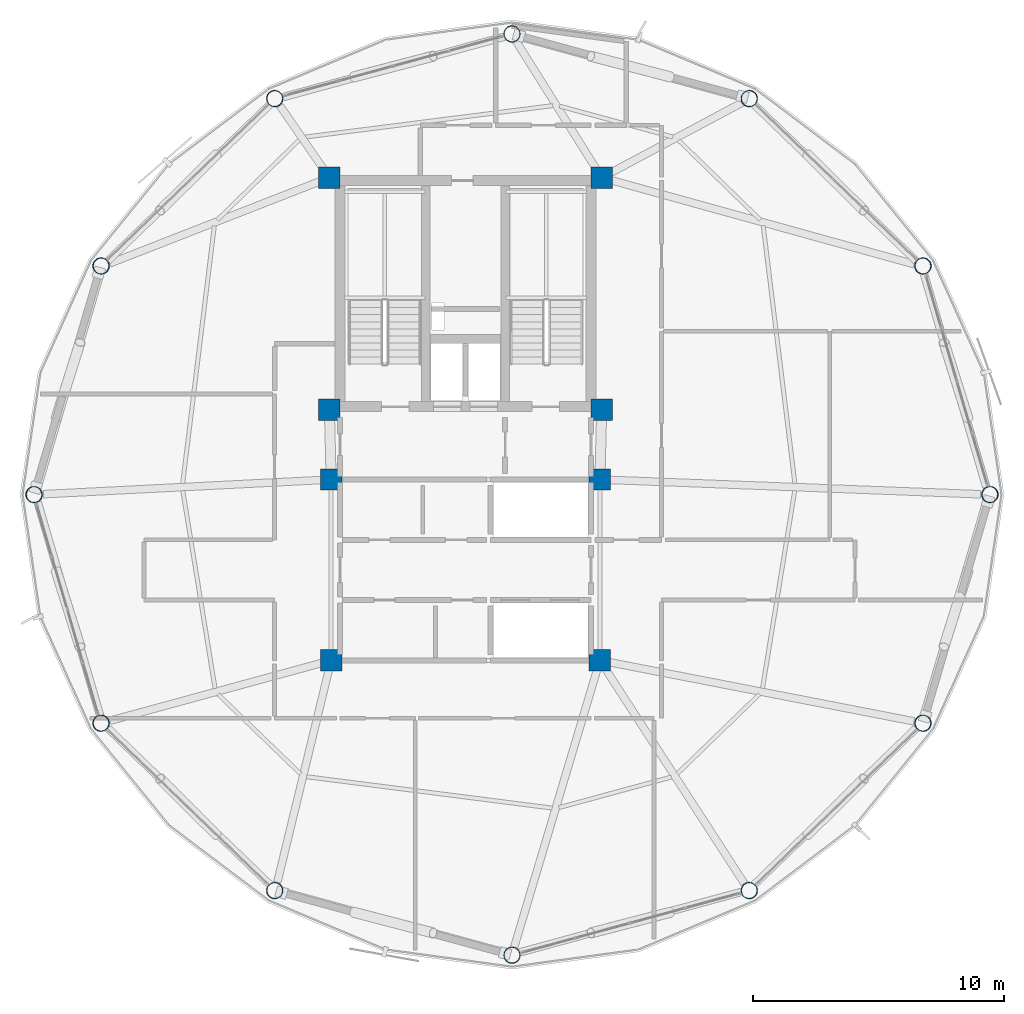
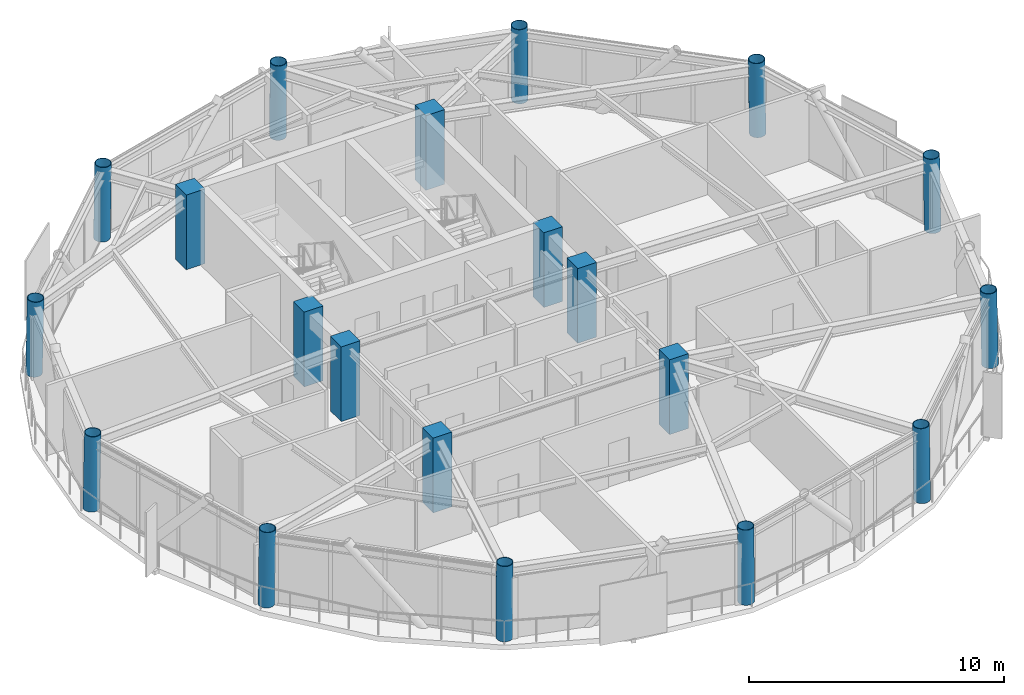
# One storey, part 1 of 26: 20 columns.
"""IFC4 building model written with IfcOpenShell, lengths in metres."""

from ifc_helpers import new_model, si_unit, direction, frame, origin, origin_2d, place, context, subcontext, project, spatial, rectangle, hollow_circle, extrude, material, material_profile, profile_set, type_object, element, save


model = new_model("IFC4")

# Units and contexts
model_context = context("Model", 3, precision=1e-05, world=origin(), true_north=direction((0.0, 1.0)))
body_context = subcontext(model_context, "Body", "Model", "MODEL_VIEW")
ifc_project = project(units=[si_unit("LENGTHUNIT", "METRE"), si_unit("AREAUNIT", "SQUARE_METRE"), si_unit("VOLUMEUNIT", "CUBIC_METRE"), si_unit("PLANEANGLEUNIT", "RADIAN"), si_unit("MASSUNIT", "GRAM", prefix="KILO")], contexts=[model_context])

# Site, building, storey
site_placement = place(None, origin())
site = spatial("IfcSite", under=ifc_project, at=site_placement, CompositionType="ELEMENT")
building_placement = place(site_placement, origin())
building = spatial("IfcBuilding", under=site, at=building_placement, Name="Varnakorn Sky Granary", CompositionType="ELEMENT")
storey_placement = place(building_placement, frame((0.0, 0.0, 218.39990234375)))
storey = spatial("IfcBuildingStorey", under=building, at=storey_placement, Name="L55", CompositionType="ELEMENT", Elevation=218.39990234375)

# Columns
ifc_material_1 = material(Name="Steel S460M", Category="steel")
ifc_material_profile_1 = material_profile(ifc_material_1, hollow_circle(Radius=0.330078125, WallThickness=0.02490234375, at=origin_2d()), Name="CHS 660x25")
ifc_profile_set_1 = profile_set([ifc_material_profile_1], Name="Steel S460M")
column_type_1 = type_object("IfcColumnType", Name="COL-DC-Z4", PredefinedType="COLUMN", material=ifc_profile_set_1)
column_1_placement = place(storey_placement, frame((23.886962890625, 0.0, 0.0), z_axis=(-0.018980464328, 0.0, 0.999819854761), x_axis=(0.0, -1.0, 0.0)))
element("IfcColumn", 1, at=column_1_placement, inside=storey, type_object=column_type_1, Name="Drum Perimeter Column DC01 L55", PredefinedType="COLUMN", context=body_context, shape_type="SweptSolid", body=[
    extrude(hollow_circle(Radius=0.330078125, WallThickness=0.02490234375, at=origin_2d()), origin(), (0.0, 0.0, 1.0), 3.575927734375),
])
column_2_placement = place(storey_placement, frame((21.219482421875, 9.1044921875, 0.0), z_axis=(-0.016454835979, -0.00477941294, 0.999853187015), x_axis=(0.278928739366, -0.960311802674, 0.0)))
element("IfcColumn", 2, at=column_2_placement, inside=storey, type_object=column_type_1, Name="Drum Perimeter Column DC02 L55", PredefinedType="COLUMN", context=body_context, shape_type="SweptSolid", body=[
    extrude(hollow_circle(Radius=0.330078125, WallThickness=0.02490234375, at=origin_2d()), origin(), (0.0, 0.0, 1.0), 3.57568359375),
])
for number, where, z_axis, x_axis, name in (
    (3, (14.301025390625, 15.76953125, 0.0), (-0.009491190561, -0.008262115524, 0.99992082424), (0.656581650754, -0.754254954172, 0.0), "Drum Perimeter Column DC03 L55"),
    (4, (4.85009765625, 18.343994140625, 0.0), (0.0, -0.009491514524, 0.999954954561), (1.0, 0.0, 0.0), "Drum Perimeter Column DC04 L55"),
    (5, (-4.60107421875, 15.76953125, 0.0), (0.00955946629, -0.00826211015, 0.999920173884), (0.653901224294, 0.756579928935, 0.0), "Drum Perimeter Column DC05 L55"),
):
    element("IfcColumn", number, at=place(storey_placement, frame(where, z_axis=z_axis, x_axis=x_axis)), inside=storey, type_object=column_type_1, Name=name, PredefinedType="COLUMN", context=body_context, shape_type="SweptSolid", body=[
        extrude(hollow_circle(Radius=0.330078125, WallThickness=0.02490234375, at=origin_2d()), origin(), (0.0, 0.0, 1.0), 3.575439453125),
    ])
column_3_placement = place(storey_placement, frame((-11.51953125, 9.1044921875, 0.0), z_axis=(0.016454835979, -0.00477941294, 0.999853187015), x_axis=(0.278928739366, 0.960311802674, 0.0)))
element("IfcColumn", 6, at=column_3_placement, inside=storey, type_object=column_type_1, Name="Drum Perimeter Column DC06 L55", PredefinedType="COLUMN", context=body_context, shape_type="SweptSolid", body=[
    extrude(hollow_circle(Radius=0.330078125, WallThickness=0.02490234375, at=origin_2d()), origin(), (0.0, 0.0, 1.0), 3.57568359375),
])
column_4_placement = place(storey_placement, frame((-14.18701171875, 0.0, 0.0), z_axis=(0.01904871465, 0.0, 0.999818556774), x_axis=(0.0, 1.0, 0.0)))
element("IfcColumn", 7, at=column_4_placement, inside=storey, type_object=column_type_1, Name="Drum Perimeter Column DC07 L55", PredefinedType="COLUMN", context=body_context, shape_type="SweptSolid", body=[
    extrude(hollow_circle(Radius=0.330078125, WallThickness=0.02490234375, at=origin_2d()), origin(), (0.0, 0.0, 1.0), 3.575927734375),
])
column_5_placement = place(storey_placement, frame((-11.51953125, -9.1044921875, 0.0), z_axis=(0.016454835979, 0.00477941294, 0.999853187015), x_axis=(-0.278928739366, 0.960311802674, 0.0)))
element("IfcColumn", 8, at=column_5_placement, inside=storey, type_object=column_type_1, Name="Drum Perimeter Column DC08 L55", PredefinedType="COLUMN", context=body_context, shape_type="SweptSolid", body=[
    extrude(hollow_circle(Radius=0.330078125, WallThickness=0.02490234375, at=origin_2d()), origin(), (0.0, 0.0, 1.0), 3.57568359375),
])
for number, where, z_axis, x_axis, name in (
    (9, (-4.60107421875, -15.76953125, 0.0), (0.00955946629, 0.00826211015, 0.999920173884), (-0.653901224294, 0.756579928935, 0.0), "Drum Perimeter Column DC09 L55"),
    (10, (4.85009765625, -18.343994140625, 0.0), (0.0, 0.009491514524, 0.999954954561), (-1.0, 0.0, 0.0), "Drum Perimeter Column DC10 L55"),
    (11, (14.301025390625, -15.76953125, 0.0), (-0.009491190561, 0.008262115524, 0.99992082424), (-0.656581650754, -0.754254954172, 0.0), "Drum Perimeter Column DC11 L55"),
):
    element("IfcColumn", number, at=place(storey_placement, frame(where, z_axis=z_axis, x_axis=x_axis)), inside=storey, type_object=column_type_1, Name=name, PredefinedType="COLUMN", context=body_context, shape_type="SweptSolid", body=[
        extrude(hollow_circle(Radius=0.330078125, WallThickness=0.02490234375, at=origin_2d()), origin(), (0.0, 0.0, 1.0), 3.575439453125),
    ])
column_6_placement = place(storey_placement, frame((21.219482421875, -9.1044921875, 0.0), z_axis=(-0.016454835979, 0.00477941294, 0.999853187015), x_axis=(-0.278928739366, -0.960311802674, 0.0)))
element("IfcColumn", 12, at=column_6_placement, inside=storey, type_object=column_type_1, Name="Drum Perimeter Column DC12 L55", PredefinedType="COLUMN", context=body_context, shape_type="SweptSolid", body=[
    extrude(hollow_circle(Radius=0.330078125, WallThickness=0.02490234375, at=origin_2d()), origin(), (0.0, 0.0, 1.0), 3.57568359375),
])
ifc_material_2 = material(Name="Concrete C50/60", Category="concrete")
ifc_material_profile_2 = material_profile(ifc_material_2, rectangle(XDim=0.85009765625, YDim=0.85009765625, at=origin_2d()), Name="RC 850x850")
ifc_profile_set_2 = profile_set([ifc_material_profile_2], Name="Concrete C50/60")
column_type_2 = type_object("IfcColumnType", Name="COL-MC-Z4", PredefinedType="COLUMN", material=ifc_profile_set_2)
for number, where, z_axis, x_axis, name in (
    (13, (-2.419921875, 12.6201171875, 0.0), (0.0, 0.0, 1.0), (1.0, 0.0, 0.0), "Backbone Mega-Column MC1 L55"),
    (14, (8.419921875, 12.6201171875, 0.0), (0.0, 0.0, 1.0), (1.0, 0.0, 0.0), "Backbone Mega-Column MC2 L55"),
    (15, (-2.419921875, 3.3798828125, 0.0), (0.0, 0.0, 1.0), (1.0, 0.0, 0.0), "Backbone Mega-Column MC3 L55"),
    (16, (8.419921875, 3.3798828125, 0.0), (0.0, 0.0, 1.0), (1.0, 0.0, 0.0), "Backbone Mega-Column MC4 L55"),
    (17, (-2.35009765625, 0.60009765625, 0.0), (0.0, 0.0, 1.0), (1.0, 0.0, 0.0), "Backbone Mega-Column MC5 L55"),
    (18, (8.35009765625, 0.60009765625, 0.0), (0.0, 0.0, 1.0), (1.0, 0.0, 0.0), "Backbone Mega-Column MC6 L55"),
    (19, (-2.35009765625, -6.60009765625, 0.0), (0.0, 0.0, 1.0), (1.0, 0.0, 0.0), "Backbone Mega-Column MC7 L55"),
    (20, (8.35009765625, -6.60009765625, 0.0), (0.0, 0.0, 1.0), (1.0, 0.0, 0.0), "Backbone Mega-Column MC8 L55"),
):
    element("IfcColumn", number, at=place(storey_placement, frame(where, z_axis=z_axis, x_axis=x_axis)), inside=storey, type_object=column_type_2, Name=name, PredefinedType="COLUMN", context=body_context, shape_type="SweptSolid", body=[
        extrude(rectangle(XDim=0.85009765625, YDim=0.85009765625, at=origin_2d()), origin(), (0.0, 0.0, 1.0), 3.5751953125),
    ])

save(model, "model.ifc")
